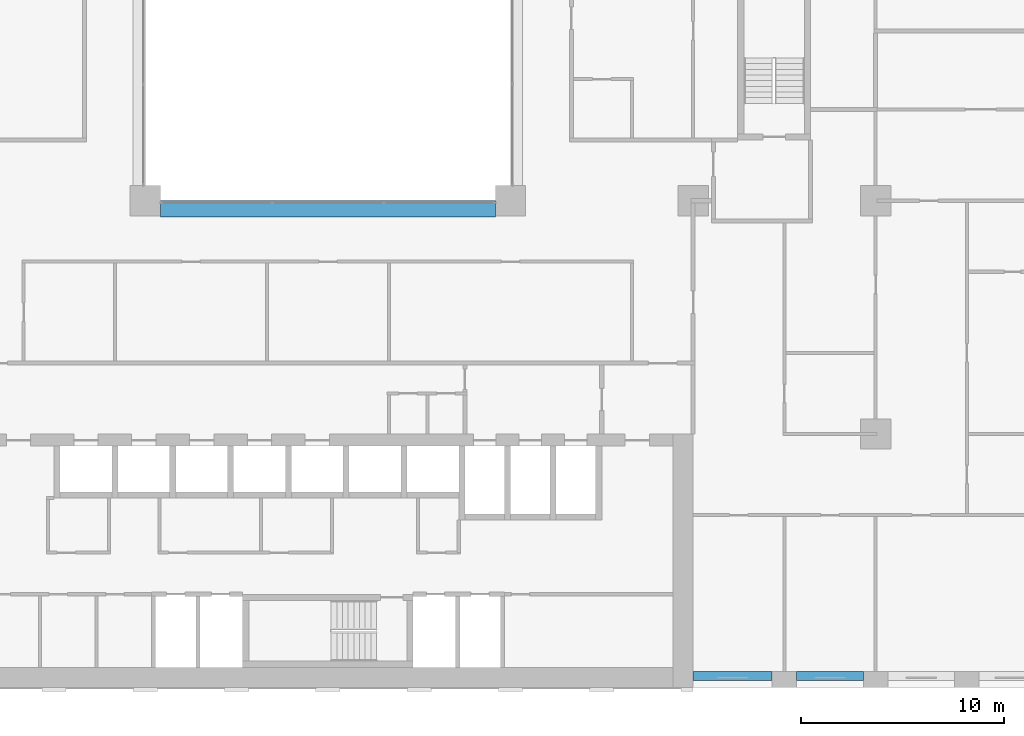
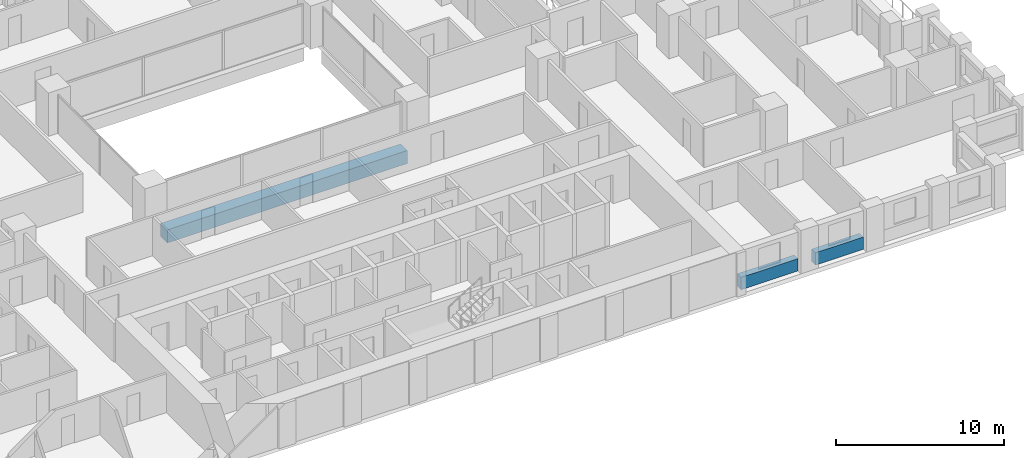
# One storey, part 3 of 20: 3 beams.
"""IFC4 building model written with IfcOpenShell, lengths in metres."""

from ifc_helpers import new_model, si_unit, direction, frame, origin, origin_2d, place, context, subcontext, project, spatial, rectangle, extrude, material, material_profile, profile_set, type_object, element, save


model = new_model("IFC4")

# Units and contexts
model_context = context("Model", 3, precision=1e-05, world=origin(), true_north=direction((0.0, 1.0)))
body_context = subcontext(model_context, "Body", "Model", "MODEL_VIEW")
ifc_project = project(units=[si_unit("LENGTHUNIT", "METRE"), si_unit("AREAUNIT", "SQUARE_METRE"), si_unit("VOLUMEUNIT", "CUBIC_METRE"), si_unit("PLANEANGLEUNIT", "RADIAN"), si_unit("MASSUNIT", "GRAM", prefix="KILO")], contexts=[model_context])

# Site, building, storey
site_placement = place(None, origin())
site = spatial("IfcSite", under=ifc_project, at=site_placement, CompositionType="ELEMENT")
building_placement = place(site_placement, origin())
building = spatial("IfcBuilding", under=site, at=building_placement, Name="Brigalow Station Residences", CompositionType="ELEMENT")
storey_placement = place(building_placement, frame((0.0, 0.0, 54.14990234375)))
storey = spatial("IfcBuildingStorey", under=building, at=storey_placement, Name="L15", CompositionType="ELEMENT", Elevation=54.14990234375)

# Beams
ifc_material_1 = material(Name="Concrete C65", Category="concrete")
ifc_material_profile_1 = material_profile(ifc_material_1, rectangle(XDim=0.800048828125, YDim=0.949951171875, at=origin_2d()), Name="RC800x950")
ifc_profile_set_1 = profile_set([ifc_material_profile_1], Name="Concrete C65")
beam_type_1 = type_object("IfcBeamType", Name="ATRIUM EDGE GIRDER OVER 13.5 M SPAN 800x950 C65", PredefinedType="BEAM", material=ifc_profile_set_1)
beam_1_placement = place(storey_placement, frame((27.75, 23.60009765625, -0.794921875), z_axis=(1.0, 0.0, 0.0), x_axis=(0.0, 1.0, 0.0)))
element("IfcBeam", 1, at=beam_1_placement, inside=storey, type_object=beam_type_1, Name="ATRIUM EDGE GIRDER C L15", PredefinedType="BEAM", context=body_context, shape_type="SweptSolid", body=[
    extrude(rectangle(XDim=0.800048828125, YDim=0.949951171875, at=origin_2d()), origin(), (0.0, 0.0, 1.0), 16.5),
])
ifc_material_2 = material(Name="Concrete C65", Category="concrete")
ifc_material_profile_2 = material_profile(ifc_material_2, rectangle(XDim=0.449951171875, YDim=0.89990234375, at=origin_2d()), Name="RC450x900")
ifc_profile_set_2 = profile_set([ifc_material_profile_2], Name="Concrete C65")
beam_type_2 = type_object("IfcBeamType", Name="SPANDREL BEAM 450x900 C65", PredefinedType="SPANDREL", material=ifc_profile_set_2)
beam_2_placement = place(storey_placement, frame((54.0, 0.574951171875, 0.4501953125), z_axis=(1.0, 0.0, 0.0), x_axis=(0.0, 1.0, 0.0)))
element("IfcBeam", 2, at=beam_2_placement, inside=storey, type_object=beam_type_2, Name="L15/spandrel/W-L15-5", PredefinedType="SPANDREL", context=body_context, shape_type="SweptSolid", body=[
    extrude(rectangle(XDim=0.449951171875, YDim=0.89990234375, at=origin_2d()), origin(), (0.0, 0.0, 1.0), 3.89990234375),
])
beam_3_placement = place(storey_placement, frame((59.10009765625, 0.574951171875, 0.4501953125), z_axis=(1.0, 0.0, 0.0), x_axis=(0.0, 1.0, 0.0)))
element("IfcBeam", 3, at=beam_3_placement, inside=storey, type_object=beam_type_2, Name="L15/spandrel/W-L15-6", PredefinedType="SPANDREL", context=body_context, shape_type="SweptSolid", body=[
    extrude(rectangle(XDim=0.449951171875, YDim=0.89990234375, at=origin_2d()), origin(), (0.0, 0.0, 1.0), 3.2998046875),
])

save(model, "model.ifc")
